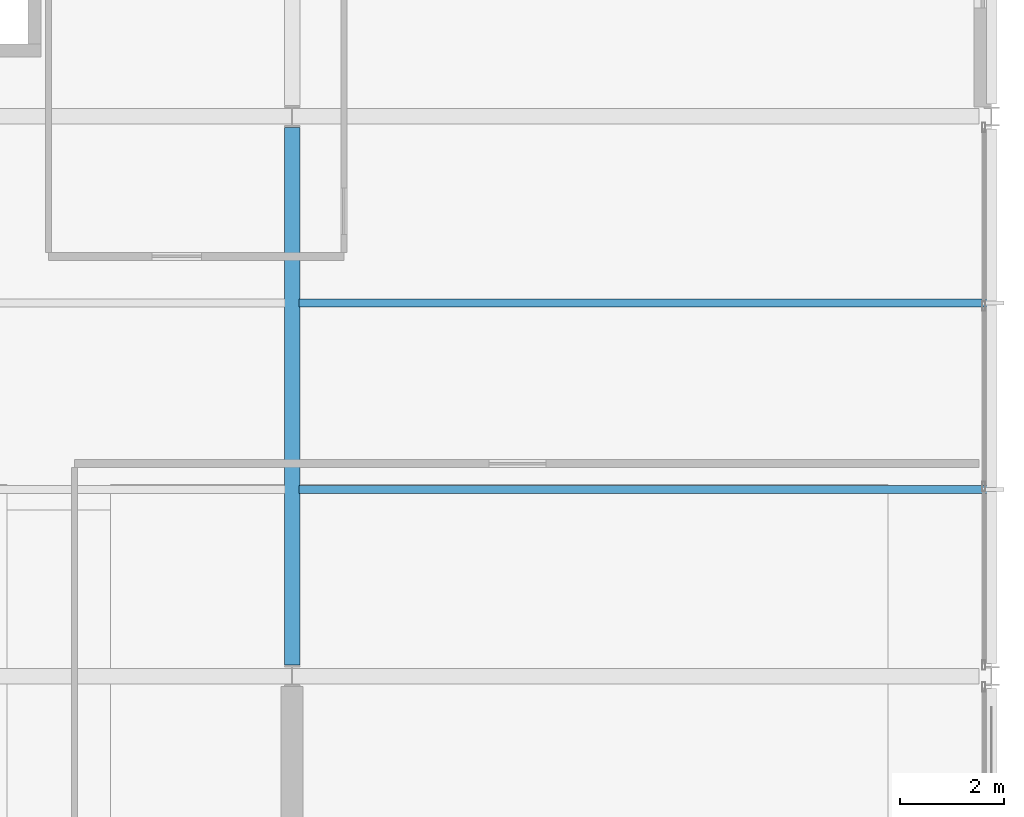
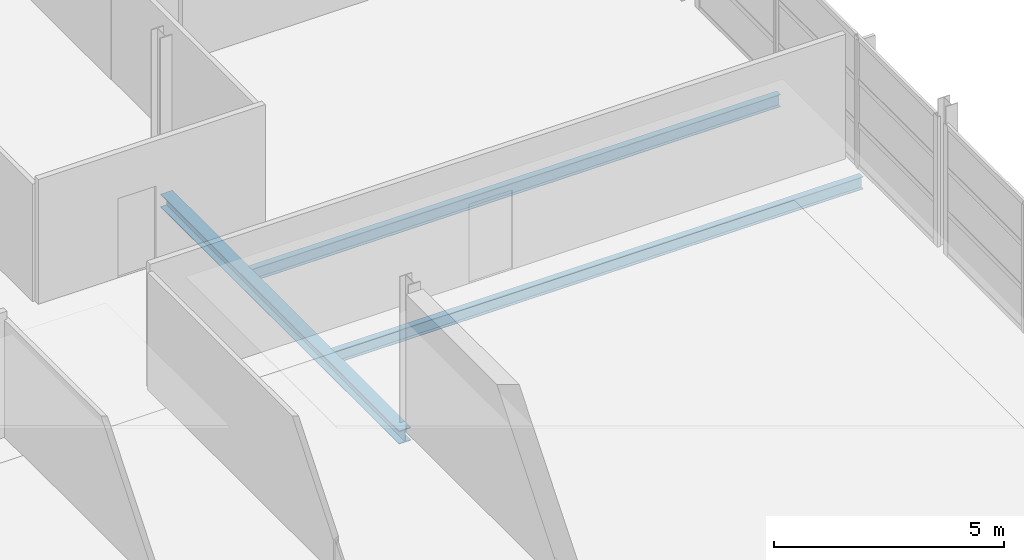
# One storey, part 14 of 33: 3 beams.
"""IFC4 building model written with IfcOpenShell, lengths in metres."""

from ifc_helpers import new_model, si_unit, direction, frame, origin, origin_2d, place, context, subcontext, project, spatial, i_section, extrude, material, material_profile, profile_set, type_object, element, save


model = new_model("IFC4")

# Units and contexts
model_context = context("Model", 3, precision=1e-05, world=origin(), true_north=direction((0.0, 1.0)))
body_context = subcontext(model_context, "Body", "Model", "MODEL_VIEW")
ifc_project = project(units=[si_unit("LENGTHUNIT", "METRE"), si_unit("AREAUNIT", "SQUARE_METRE"), si_unit("VOLUMEUNIT", "CUBIC_METRE"), si_unit("PLANEANGLEUNIT", "RADIAN"), si_unit("MASSUNIT", "GRAM", prefix="KILO")], contexts=[model_context])

# Site, building, storey
site_placement = place(None, origin())
site = spatial("IfcSite", under=ifc_project, at=site_placement, CompositionType="ELEMENT")
building_placement = place(site_placement, origin())
building = spatial("IfcBuilding", under=site, at=building_placement, Name="Tamarisk Ironworks Central Station", CompositionType="ELEMENT")
storey_placement = place(building_placement, frame((0.0, 0.0, 21.300048828125)))
storey = spatial("IfcBuildingStorey", under=building, at=storey_placement, Name="L04", CompositionType="ELEMENT", Elevation=21.300048828125)

# Beams
ifc_material = material(Name="Structural steel S355J2", Category="steel")
ifc_material_profile_1 = material_profile(ifc_material, i_section(OverallWidth=0.159912109375, OverallDepth=0.330078125, WebThickness=0.007568359375, FlangeThickness=0.011474609375, at=origin_2d()), Name="IPE 330")
ifc_profile_set_1 = profile_set([ifc_material_profile_1], Name="Structural steel S355J2")
beam_type_1 = type_object("IfcBeamType", Name="BM-B06", PredefinedType="BEAM", material=ifc_profile_set_1)
for number, where, z_axis, x_axis, name in (
    (1, (166.635009765625, 104.39990234375, -0.385009765625), (1.0, 0.0, 0.0), (0.0, 1.0, 0.0), "L04 secondary composite beam 0252"),
    (2, (166.635009765625, 108.0, -0.385009765625), (1.0, 0.0, 0.0), (0.0, 1.0, 0.0), "L04 secondary composite beam 0253"),
):
    element("IfcBeam", number, at=place(storey_placement, frame(where, z_axis=z_axis, x_axis=x_axis)), inside=storey, type_object=beam_type_1, Name=name, PredefinedType="BEAM", context=body_context, shape_type="SweptSolid", body=[
        extrude(i_section(OverallWidth=0.159912109375, OverallDepth=0.330078125, WebThickness=0.007568359375, FlangeThickness=0.011474609375, at=origin_2d()), origin(), (0.0, 0.0, 1.0), 13.280029296875),
    ])
ifc_material_profile_2 = material_profile(ifc_material, i_section(OverallWidth=0.300048828125, OverallDepth=0.35009765625, WebThickness=0.010009765625, FlangeThickness=0.017578125, at=origin_2d()), Name="HEA 360")
ifc_profile_set_2 = profile_set([ifc_material_profile_2], Name="Structural steel S355J2")
beam_type_2 = type_object("IfcBeamType", Name="BM-G08", PredefinedType="BEAM", material=ifc_profile_set_2)
beam_placement = place(storey_placement, frame((166.5, 101.012939453125, -0.39501953125), z_axis=(0.0, 1.0, 0.0), x_axis=(-1.0, 0.0, 0.0)))
element("IfcBeam", 3, at=beam_placement, inside=storey, type_object=beam_type_2, Name="L04 primary girder Y-0744", PredefinedType="BEAM", context=body_context, shape_type="SweptSolid", body=[
    extrude(i_section(OverallWidth=0.300048828125, OverallDepth=0.35009765625, WebThickness=0.010009765625, FlangeThickness=0.017578125, at=origin_2d()), origin(), (0.0, 0.0, 1.0), 10.3740234375),
])

save(model, "model.ifc")
